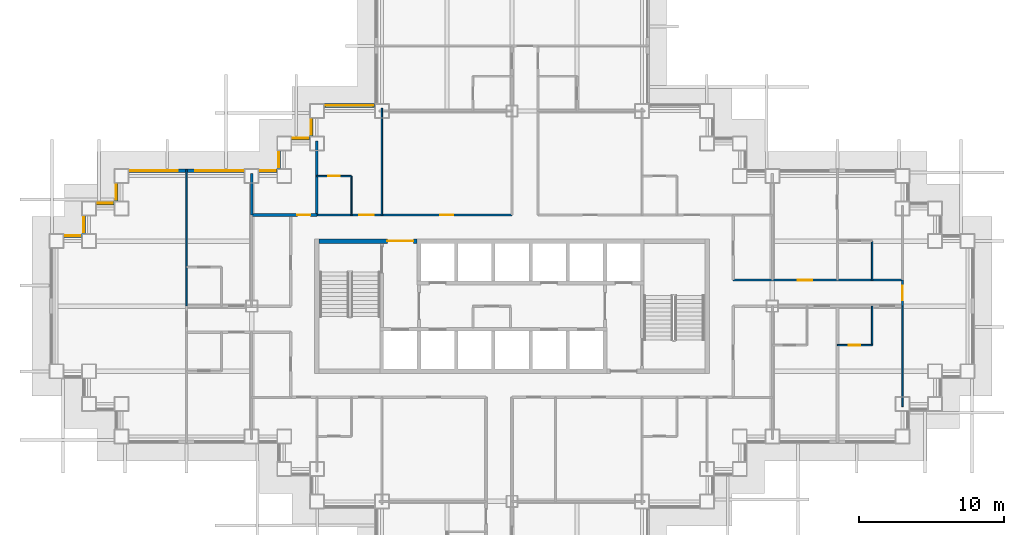
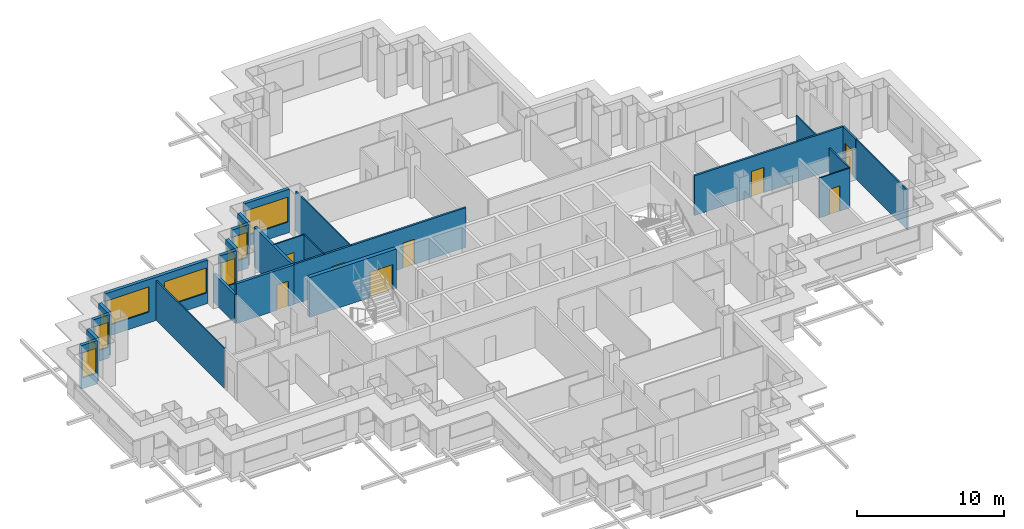
# One storey, part 7 of 15: 25 walls, 11 windows, 8 doors, 19 openings.
"""IFC4 building model written with IfcOpenShell, lengths in metres."""

import ifcopenshell
import ifcopenshell.guid

model = None  # the IFC model being written
_history = None  # IfcOwnerHistory: only IFC2X3 demands one
_inside = {}  # id of a spatial element -> (the spatial element, [elements in it])
_under = {}  # id of a project, library or spatial element -> (it, [spatial elements below it])
_declared = {}  # id of a project -> (the project, [libraries it declares])
_typed = {}  # id of a type object -> (the type object, [elements of that type])
_made_of = {}  # id of a material, layer set ... -> (it, [elements and type objects made of it])


def new_model(schema):
    """Start an empty IFC model of exactly this schema.

    Asked for "IFC4X3", IfcOpenShell would pick the latest addendum, in which some entities
    have other attributes; the version numbers below select the first issue.
    IFC2X3 requires an IfcOwnerHistory on every rooted entity: one is made here for all.
    """
    global model, _history
    if schema == "IFC4X3":
        model = ifcopenshell.file(schema_version=(4, 3, 0, 0))
    else:
        model = ifcopenshell.file(schema=schema)
    _inside.clear()
    _under.clear()
    _declared.clear()
    _typed.clear()
    _made_of.clear()
    _history = None
    if model.schema == "IFC2X3":
        org = make("IfcOrganization", Name="unknown")
        user = make(
            "IfcPersonAndOrganization",
            ThePerson=make("IfcPerson", FamilyName="unknown"),
            TheOrganization=org,
        )
        app = make(
            "IfcApplication",
            ApplicationDeveloper=org,
            Version="unknown",
            ApplicationFullName="unknown",
            ApplicationIdentifier="unknown",
        )
        _history = make(
            "IfcOwnerHistory",
            OwningUser=user,
            OwningApplication=app,
            ChangeAction="ADDED",
            CreationDate=0,
        )
    return model


def make(cls, **values):
    """One entity of the class cls with the attributes given. An attribute that is None is left unset."""
    return model.create_entity(
        cls, **{name: value for name, value in values.items() if value is not None}
    )


def rooted(cls, **values):
    """An entity with a GlobalId (a new one), such as an element, a storey or a relation."""
    return make(cls, GlobalId=ifcopenshell.guid.new(), OwnerHistory=_history, **values)


def si_unit(unit_type, name, prefix=None):
    """IfcSIUnit, for example si_unit("LENGTHUNIT", "METRE", prefix="MILLI")."""
    return make("IfcSIUnit", UnitType=unit_type, Prefix=prefix, Name=name)


def assignment(units):
    """IfcUnitAssignment: the units of a project."""
    return None if units is None else make("IfcUnitAssignment", Units=units)


def point(xyz):
    """IfcCartesianPoint."""
    return None if xyz is None else make("IfcCartesianPoint", Coordinates=xyz)


def direction(xyz):
    """IfcDirection."""
    return None if xyz is None else make("IfcDirection", DirectionRatios=xyz)


def frame(location, z_axis=None, x_axis=None):
    """IfcAxis2Placement3D, a coordinate frame: its origin and axes. An axis left out is left unset."""
    return make(
        "IfcAxis2Placement3D",
        Location=point(location),
        Axis=direction(z_axis),
        RefDirection=direction(x_axis),
    )


def frame_2d(location, x_axis=None):
    """IfcAxis2Placement2D, a coordinate frame in the plane: its origin and x axis."""
    return make(
        "IfcAxis2Placement2D", Location=point(location), RefDirection=direction(x_axis)
    )


def origin():
    """The frame at (0, 0, 0) with its axes left unset."""
    return frame((0.0, 0.0, 0.0))


def place(relative_to, where):
    """IfcLocalPlacement: puts the frame where relative to a parent placement (None: the world)."""
    return make(
        "IfcLocalPlacement", PlacementRelTo=relative_to, RelativePlacement=where
    )


def context(
    kind, dimensions, precision=None, world=None, true_north=None, identifier=None
):
    """IfcGeometricRepresentationContext, for example the 3D "Model" context."""
    return make(
        "IfcGeometricRepresentationContext",
        ContextIdentifier=identifier,
        ContextType=kind,
        CoordinateSpaceDimension=dimensions,
        Precision=precision,
        WorldCoordinateSystem=world,
        TrueNorth=true_north,
    )


def subcontext(parent, identifier, kind, view, scale=None):
    """IfcGeometricRepresentationSubContext, for example "Body" below "Model"."""
    return make(
        "IfcGeometricRepresentationSubContext",
        ContextIdentifier=identifier,
        ContextType=kind,
        ParentContext=parent,
        TargetScale=scale,
        TargetView=view,
    )


def project(units=None, contexts=None):
    """IfcProject with its units and contexts."""
    return rooted(
        "IfcProject",
        Name="project",
        RepresentationContexts=contexts,
        UnitsInContext=assignment(units),
    )


def spatial(cls, under=None, at=None, **own):
    """A site, building, storey or space (cls), placed at a placement, below another one or the project."""
    s = rooted(cls, ObjectPlacement=at, **own)
    if under is not None:
        _under.setdefault(under.id(), (under, []))[1].append(s)
    return s


def profile(cls, at=None, kind="AREA", **sizes):
    """A parametric profile (cls). Its sizes go by their IFC names, for example OverallWidth=200.0."""
    return make(cls, ProfileType=kind, Position=at, **sizes)


def rectangle(**sizes):
    """IfcRectangleProfileDef."""
    return profile("IfcRectangleProfileDef", **sizes)


def extrude(swept, where, along, depth):
    """IfcExtrudedAreaSolid: the profile swept, set in the frame where, extruded along a direction by depth."""
    return make(
        "IfcExtrudedAreaSolid",
        SweptArea=swept,
        Position=where,
        ExtrudedDirection=direction(along),
        Depth=depth,
    )


def shape(context_of_items, identifier, shape_type, items):
    """IfcShapeRepresentation: the items that make up one representation, for example the "Body"."""
    return make(
        "IfcShapeRepresentation",
        ContextOfItems=context_of_items,
        RepresentationIdentifier=identifier,
        RepresentationType=shape_type,
        Items=items,
    )


def material(Name=None, Category=None):
    """IfcMaterial."""
    return make("IfcMaterial", Name=Name, Category=Category)


def layer(
    of_material, thickness, ventilated=None, Name=None, Category=None, Priority=None
):
    """IfcMaterialLayer: one layer of a wall or slab, of a material (None: an air gap)."""
    return make(
        "IfcMaterialLayer",
        Material=of_material,
        LayerThickness=thickness,
        IsVentilated=ventilated,
        Name=Name,
        Category=Category,
        Priority=Priority,
    )


def layer_set(layers, Name=None):
    """IfcMaterialLayerSet."""
    return make("IfcMaterialLayerSet", MaterialLayers=layers, LayerSetName=Name)


def made_of(thing, what):
    """Note that an element or type object is made of a material, layer set ...; save() writes the relation."""
    if what is not None:
        _made_of.setdefault(what.id(), (what, []))[1].append(thing)
    return thing


def type_object(cls, material=None, **own):
    """A type object (cls), such as IfcWallType, which elements share."""
    return made_of(rooted(cls, **own), material)


def element(
    cls,
    number,
    at=None,
    inside=None,
    cuts=None,
    type_object=None,
    material=None,
    context=None,
    identifier="Body",
    shape_type=None,
    held_by="IfcProductDefinitionShape",
    body=None,
    shapes=None,
    **own,
):
    """One element of the class cls, such as IfcWall. Its Tag is "e" and its number.

    at: its placement. inside: the storey or other place that contains it. cuts: it is an
    opening in that element (IfcRelVoidsElement). A single representation is given by context,
    identifier, shape_type and body (its items); several are given by shapes. held_by: the class
    of the entity that holds the representations. save() writes the other relations.
    """
    e = rooted(cls, Tag="e%d" % number, ObjectPlacement=at, **own)
    if body is not None:
        shapes = [shape(context, identifier, shape_type, body)]
    if shapes is not None:
        e.Representation = make(held_by, Representations=shapes)
    if inside is not None:
        _inside.setdefault(inside.id(), (inside, []))[1].append(e)
    if cuts is not None:
        rooted(
            "IfcRelVoidsElement", RelatingBuildingElement=cuts, RelatedOpeningElement=e
        )
    if type_object is not None:
        _typed.setdefault(type_object.id(), (type_object, []))[1].append(e)
    return made_of(e, material)


def fill(opening, filler):
    """IfcRelFillsElement: the door or window that sits in an opening."""
    return rooted(
        "IfcRelFillsElement",
        RelatingOpeningElement=opening,
        RelatedBuildingElement=filler,
    )


def aggregate(whole, parts):
    """IfcRelAggregates: a whole, such as a stair, and the parts it consists of."""
    return rooted("IfcRelAggregates", RelatingObject=whole, RelatedObjects=parts)


def save(model, path):
    """Write the relations noted so far, then the file.

    IfcRelAggregates (storeys below a building ...), IfcRelContainedInSpatialStructure (elements
    in a storey), IfcRelDefinesByType, IfcRelAssociatesMaterial and IfcRelDeclares: one each for
    every whole, place, type object, material and project.
    """
    for whole, parts in _under.values():
        aggregate(whole, parts)
    for where, things in _inside.values():
        rooted(
            "IfcRelContainedInSpatialStructure",
            RelatedElements=things,
            RelatingStructure=where,
        )
    for kind, things in _typed.values():
        rooted("IfcRelDefinesByType", RelatedObjects=things, RelatingType=kind)
    for what, things in _made_of.values():
        rooted("IfcRelAssociatesMaterial", RelatedObjects=things, RelatingMaterial=what)
    for by, libraries in _declared.values():
        rooted("IfcRelDeclares", RelatingContext=by, RelatedDefinitions=libraries)
    model.write(path)


model = new_model("IFC4")

# Units and contexts
model_context = context("Model", 3, precision=1e-05, world=origin(), true_north=direction((0.0, 1.0)))
body_context = subcontext(model_context, "Body", "Model", "MODEL_VIEW")
ifc_project = project(units=[si_unit("LENGTHUNIT", "METRE"), si_unit("AREAUNIT", "SQUARE_METRE"), si_unit("VOLUMEUNIT", "CUBIC_METRE"), si_unit("PLANEANGLEUNIT", "RADIAN"), si_unit("MASSUNIT", "GRAM", prefix="KILO")], contexts=[model_context])

# Site, building, storey
site_placement = place(None, origin())
site = spatial("IfcSite", under=ifc_project, at=site_placement, CompositionType="ELEMENT")
building_placement = place(site_placement, origin())
building = spatial("IfcBuilding", under=site, at=building_placement, Name="Caravel Reach Hotel and Residences", CompositionType="ELEMENT")
storey_placement = place(building_placement, frame((0.0, 0.0, 60.0)))
storey = spatial("IfcBuildingStorey", under=building, at=storey_placement, Name="L13", CompositionType="ELEMENT", Elevation=60.0)

# Wall, opening, door
ifc_material_1 = material(Name="Gypsum board on steel stud", Category="steel")
ifc_layer_1 = layer(ifc_material_1, 0.10009765625)
ifc_layer_set_1 = layer_set([ifc_layer_1], Name="Bathroom pod wall 100 mm")
wall_type_1 = type_object("IfcWallType", Name="Bathroom pod wall 100 mm", PredefinedType="PARTITIONING", material=ifc_layer_set_1)
wall_1_placement = place(storey_placement, frame((54.0, 24.300048828125, 0.0), z_axis=(0.0, 0.0, 1.0), x_axis=(1.0, 0.0, 0.0)))
wall_1 = element("IfcWall", 1, at=wall_1_placement, inside=storey, type_object=wall_type_1, Name="L13 wall w079", PredefinedType="PARTITIONING", context=body_context, shape_type="SweptSolid", body=[
    extrude(rectangle(XDim=2.39990234375, YDim=0.10009765625, at=frame_2d((1.199951171875, 0.0))), origin(), (0.0, 0.0, 1.0), 3.300048828125),
])
opening_1_placement = place(wall_1_placement, frame((0.800048828125, 0.0, 0.0)))
opening_1 = element("IfcOpeningElement", 2, at=opening_1_placement, cuts=wall_1, Name="Opening D13-022", PredefinedType="OPENING", context=body_context, shape_type="SweptSolid", body=[
    extrude(rectangle(XDim=0.800048828125, YDim=2.10009765625, at=frame_2d((0.39990234375, 1.050048828125))), frame((0.0, 0.06005859375, 0.0), z_axis=(0.0, -1.0, 0.0), x_axis=(1.0, 0.0, 0.0)), (0.0, 0.0, 1.0), 0.1201171875),
])
ifc_material_2 = material(Name="Timber and steel door leaf", Category="steel")
door_type_1 = type_object("IfcDoorType", Name="Bathroom door 800 x 2100", OperationType="SINGLE_SWING_LEFT", PredefinedType="DOOR", material=ifc_material_2)
door_1_placement = place(opening_1_placement, origin())
door_1 = element("IfcDoor", 3, at=door_1_placement, inside=storey, type_object=door_type_1, Name="door D13-022", OperationType="SINGLE_SWING_RIGHT", OverallHeight=2.10009765625, OverallWidth=0.800048828125, PredefinedType="DOOR", context=body_context, shape_type="SweptSolid", body=[
    extrude(rectangle(XDim=0.800048828125, YDim=2.10009765625, at=frame_2d((0.39990234375, 1.050048828125))), frame((0.0, 0.02490234375, 0.0), z_axis=(0.0, -1.0, 0.0), x_axis=(1.0, 0.0, 0.0)), (0.0, 0.0, 1.0), 0.050048828125),
])
fill(opening_1, door_1)

wall_2_placement = place(storey_placement, frame((18.0, 36.0, 0.0), z_axis=(0.0, 0.0, 1.0), x_axis=(1.0, 0.0, 0.0)))
wall_2 = element("IfcWall", 4, at=wall_2_placement, inside=storey, type_object=wall_type_1, Name="L13 wall w082", PredefinedType="PARTITIONING", context=body_context, shape_type="SweptSolid", body=[
    extrude(rectangle(XDim=2.39990234375, YDim=0.10009765625, at=frame_2d((1.199951171875, 0.0))), origin(), (0.0, 0.0, 1.0), 3.300048828125),
])
opening_2_placement = place(wall_2_placement, frame((0.800048828125, 0.0, 0.0)))
opening_2 = element("IfcOpeningElement", 5, at=opening_2_placement, cuts=wall_2, Name="Opening D13-042", PredefinedType="OPENING", context=body_context, shape_type="SweptSolid", body=[
    extrude(rectangle(XDim=0.800048828125, YDim=2.10009765625, at=frame_2d((0.39990234375, 1.050048828125))), frame((0.0, 0.06005859375, 0.0), z_axis=(0.0, -1.0, 0.0), x_axis=(1.0, 0.0, 0.0)), (0.0, 0.0, 1.0), 0.1201171875),
])
door_2_placement = place(opening_2_placement, origin())
door_2 = element("IfcDoor", 6, at=door_2_placement, inside=storey, type_object=door_type_1, Name="door D13-042", OperationType="SINGLE_SWING_RIGHT", OverallHeight=2.10009765625, OverallWidth=0.800048828125, PredefinedType="DOOR", context=body_context, shape_type="SweptSolid", body=[
    extrude(rectangle(XDim=0.800048828125, YDim=2.10009765625, at=frame_2d((0.39990234375, 1.050048828125))), frame((0.0, 0.02490234375, 0.0), z_axis=(0.0, -1.0, 0.0), x_axis=(1.0, 0.0, 0.0)), (0.0, 0.0, 1.0), 0.050048828125),
])
fill(opening_2, door_2)

# Walls
for number, where, z_axis, x_axis, name in (
    (7, (20.39990234375, 33.300048828125, 0.0), (0.0, 0.0, 1.0), (0.0, 1.0, 0.0), "L13 wall w090"),
    (8, (56.39990234375, 24.300048828125, 0.0), (0.0, 0.0, 1.0), (0.0, 1.0, 0.0), "L13 wall w100"),
    (9, (56.39990234375, 28.800048828125, 0.0), (0.0, 0.0, 1.0), (0.0, 1.0, 0.0), "L13 wall w101"),
):
    element("IfcWall", number, at=place(storey_placement, frame(where, z_axis=z_axis, x_axis=x_axis)), inside=storey, type_object=wall_type_1, Name=name, PredefinedType="PARTITIONING", context=body_context, shape_type="SweptSolid", body=[
        extrude(rectangle(XDim=2.699951171875, YDim=0.10009765625, at=frame_2d((1.35009765625, 0.0))), origin(), (0.0, 0.0, 1.0), 3.300048828125),
    ])

# Wall, opening, door
ifc_material_3 = material(Name="Autoclaved aerated block wall")
ifc_layer_2 = layer(ifc_material_3, 0.199951171875)
ifc_layer_set_2 = layer_set([ifc_layer_2], Name="Compartment wall 200 mm EI 120")
wall_type_2 = type_object("IfcWallType", Name="Compartment wall 200 mm EI 120", PredefinedType="PARTITIONING", material=ifc_layer_set_2)
wall_3_placement = place(storey_placement, frame((13.5, 33.300048828125, 0.0), z_axis=(0.0, 0.0, 1.0), x_axis=(1.0, 0.0, 0.0)))
wall_3 = element("IfcWall", 10, at=wall_3_placement, inside=storey, type_object=wall_type_2, Name="L13 wall w103", PredefinedType="PARTITIONING", context=body_context, shape_type="SweptSolid", body=[
    extrude(rectangle(XDim=4.5, YDim=0.199951171875, at=frame_2d((2.25, 0.0))), origin(), (0.0, 0.0, 1.0), 3.300048828125),
])
opening_3_placement = place(wall_3_placement, frame((3.14990234375, 0.0, 0.0)))
opening_3 = element("IfcOpeningElement", 11, at=opening_3_placement, cuts=wall_3, Name="Opening D13-043", PredefinedType="OPENING", context=body_context, shape_type="SweptSolid", body=[
    extrude(rectangle(XDim=0.89990234375, YDim=2.10009765625, at=frame_2d((0.449951171875, 1.050048828125))), frame((0.0, 0.10986328125, 0.0), z_axis=(0.0, -1.0, 0.0), x_axis=(1.0, 0.0, 0.0)), (0.0, 0.0, 1.0), 0.219970703125),
])
ifc_material_4 = material(Name="Steel fire door leaf", Category="steel")
door_type_2 = type_object("IfcDoorType", Name="Riser door 900 x 2100 EI 60", OperationType="SINGLE_SWING_LEFT", PredefinedType="DOOR", material=ifc_material_4)
door_3_placement = place(opening_3_placement, origin())
door_3 = element("IfcDoor", 12, at=door_3_placement, inside=storey, type_object=door_type_2, Name="door D13-043", OperationType="SINGLE_SWING_RIGHT", OverallHeight=2.10009765625, OverallWidth=0.89990234375, PredefinedType="DOOR", context=body_context, shape_type="SweptSolid", body=[
    extrude(rectangle(XDim=0.89990234375, YDim=2.10009765625, at=frame_2d((0.449951171875, 1.050048828125))), frame((0.0, 0.02490234375, 0.0), z_axis=(0.0, -1.0, 0.0), x_axis=(1.0, 0.0, 0.0)), (0.0, 0.0, 1.0), 0.050048828125),
])
fill(opening_3, door_3)

# Walls
wall_4_placement = place(storey_placement, frame((13.5, 33.300048828125, 0.0), z_axis=(0.0, 0.0, 1.0), x_axis=(0.0, 1.0, 0.0)))
element("IfcWall", 13, at=wall_4_placement, inside=storey, type_object=wall_type_2, Name="L13 wall w104", PredefinedType="PARTITIONING", context=body_context, shape_type="SweptSolid", body=[
    extrude(rectangle(XDim=2.889892578125, YDim=0.199951171875, at=frame_2d((1.44482421875, 0.0))), origin(), (0.0, 0.0, 1.0), 2.3798828125),
])
wall_5_placement = place(storey_placement, frame((18.0, 33.300048828125, 0.0), z_axis=(0.0, 0.0, 1.0), x_axis=(0.0, 1.0, 0.0)))
element("IfcWall", 14, at=wall_5_placement, inside=storey, type_object=wall_type_2, Name="L13 wall w105", PredefinedType="PARTITIONING", context=body_context, shape_type="SweptSolid", body=[
    extrude(rectangle(XDim=5.139892578125, YDim=0.199951171875, at=frame_2d((2.56982421875, 0.0))), origin(), (0.0, 0.0, 1.0), 3.300048828125),
])

# Wall, opening, door
ifc_material_5 = material(Name="Concrete C60", Category="concrete")
ifc_layer_3 = layer(ifc_material_5, 0.300048828125)
ifc_layer_set_3 = layer_set([ifc_layer_3], Name="Core wall 300 mm EI 120")
wall_type_3 = type_object("IfcWallType", Name="Core wall 300 mm EI 120", PredefinedType="SHEAR", material=ifc_layer_set_3)
wall_6_placement = place(storey_placement, frame((18.14990234375, 31.5, 0.0), z_axis=(0.0, 0.0, 1.0), x_axis=(1.0, 0.0, 0.0)))
wall_6 = element("IfcWall", 15, at=wall_6_placement, inside=storey, type_object=wall_type_3, Name="L13 core wall N1", PredefinedType="SHEAR", context=body_context, shape_type="SweptSolid", body=[
    extrude(rectangle(XDim=6.796630859375, YDim=0.300048828125, at=frame_2d((3.3984375, 0.0))), origin(), (0.0, 0.0, 1.0), 3.300048828125),
])
opening_4_placement = place(wall_6_placement, frame((4.735595703125, 0.0, 0.0)))
opening_4 = element("IfcOpeningElement", 16, at=opening_4_placement, cuts=wall_6, Name="Opening D13-013", PredefinedType="OPENING", context=body_context, shape_type="SweptSolid", body=[
    extrude(rectangle(XDim=1.800048828125, YDim=2.10009765625, at=frame_2d((0.89990234375, 1.050048828125))), frame((0.0, 0.159912109375, 0.0), z_axis=(0.0, -1.0, 0.0), x_axis=(1.0, 0.0, 0.0)), (0.0, 0.0, 1.0), 0.320068359375),
])
ifc_material_6 = material(Name="Steel fire door leaf", Category="steel")
door_type_3 = type_object("IfcDoorType", Name="Fire lobby door pair 1800 x 2100 EI 90", OperationType="DOUBLE_DOOR_SINGLE_SWING", PredefinedType="DOOR", material=ifc_material_6)
door_4_placement = place(opening_4_placement, origin())
door_4 = element("IfcDoor", 17, at=door_4_placement, inside=storey, type_object=door_type_3, Name="lobby N door pair to corridor", OperationType="DOUBLE_DOOR_SINGLE_SWING", OverallHeight=2.10009765625, OverallWidth=1.800048828125, PredefinedType="DOOR", context=body_context, shape_type="SweptSolid", body=[
    extrude(rectangle(XDim=1.800048828125, YDim=2.10009765625, at=frame_2d((0.89990234375, 1.050048828125))), frame((0.0, 0.02490234375, 0.0), z_axis=(0.0, -1.0, 0.0), x_axis=(1.0, 0.0, 0.0)), (0.0, 0.0, 1.0), 0.050048828125),
])
fill(opening_4, door_4)

ifc_material_7 = material(Name="Gypsum board on steel stud, fire-rated", Category="steel")
ifc_layer_4 = layer(ifc_material_7, 0.14990234375)
ifc_layer_set_4 = layer_set([ifc_layer_4], Name="Corridor wall 150 mm EI 60")
wall_type_4 = type_object("IfcWallType", Name="Corridor wall 150 mm EI 60", PredefinedType="PARTITIONING", material=ifc_layer_set_4)
wall_7_placement = place(storey_placement, frame((46.800048828125, 28.800048828125, 0.0), z_axis=(0.0, 0.0, 1.0), x_axis=(1.0, 0.0, 0.0)))
wall_7 = element("IfcWall", 18, at=wall_7_placement, inside=storey, type_object=wall_type_4, Name="L13 wall w015", PredefinedType="PARTITIONING", context=body_context, shape_type="SweptSolid", body=[
    extrude(rectangle(XDim=11.699951171875, YDim=0.14990234375, at=frame_2d((5.85009765625, 0.0))), origin(), (0.0, 0.0, 1.0), 3.300048828125),
])
opening_5_placement = place(wall_7_placement, frame((4.449951171875, 0.0, 0.0)))
opening_5 = element("IfcOpeningElement", 19, at=opening_5_placement, cuts=wall_7, Name="Opening D13-023", PredefinedType="OPENING", context=body_context, shape_type="SweptSolid", body=[
    extrude(rectangle(XDim=1.0, YDim=2.10009765625, at=frame_2d((0.5, 1.050048828125))), frame((0.0, 0.0849609375, 0.0), z_axis=(0.0, -1.0, 0.0), x_axis=(1.0, 0.0, 0.0)), (0.0, 0.0, 1.0), 0.169921875),
])
ifc_material_8 = material(Name="Steel fire door leaf", Category="steel")
door_type_4 = type_object("IfcDoorType", Name="Guest room door 1000 x 2100 EI 30", OperationType="SINGLE_SWING_LEFT", PredefinedType="DOOR", material=ifc_material_8)
door_5_placement = place(opening_5_placement, origin())
door_5 = element("IfcDoor", 20, at=door_5_placement, inside=storey, type_object=door_type_4, Name="door D13-023", OperationType="SINGLE_SWING_RIGHT", OverallHeight=2.10009765625, OverallWidth=1.0, PredefinedType="DOOR", context=body_context, shape_type="SweptSolid", body=[
    extrude(rectangle(XDim=1.0, YDim=2.10009765625, at=frame_2d((0.5, 1.050048828125))), frame((0.0, 0.02490234375, 0.0), z_axis=(0.0, -1.0, 0.0), x_axis=(1.0, 0.0, 0.0)), (0.0, 0.0, 1.0), 0.050048828125),
])
fill(opening_5, door_5)

# Wall, openings, doors
wall_8_placement = place(storey_placement, frame((18.0, 33.300048828125, 0.0), z_axis=(0.0, 0.0, 1.0), x_axis=(1.0, 0.0, 0.0)))
wall_8 = element("IfcWall", 21, at=wall_8_placement, inside=storey, type_object=wall_type_4, Name="L13 wall w018", PredefinedType="PARTITIONING", context=body_context, shape_type="SweptSolid", body=[
    extrude(rectangle(XDim=13.5, YDim=0.14990234375, at=frame_2d((6.75, 0.0))), origin(), (0.0, 0.0, 1.0), 3.300048828125),
])
opening_6_placement = place(wall_8_placement, frame((2.949951171875, 0.0, 0.0)))
opening_6 = element("IfcOpeningElement", 22, at=opening_6_placement, cuts=wall_8, Name="Opening D13-041", PredefinedType="OPENING", context=body_context, shape_type="SweptSolid", body=[
    extrude(rectangle(XDim=1.0, YDim=2.10009765625, at=frame_2d((0.5, 1.050048828125))), frame((0.0, 0.0849609375, 0.0), z_axis=(0.0, -1.0, 0.0), x_axis=(1.0, 0.0, 0.0)), (0.0, 0.0, 1.0), 0.169921875),
])
opening_7_placement = place(wall_8_placement, frame((8.550048828125, 0.0, 0.0)))
opening_7 = element("IfcOpeningElement", 23, at=opening_7_placement, cuts=wall_8, Name="Opening D13-052", PredefinedType="OPENING", context=body_context, shape_type="SweptSolid", body=[
    extrude(rectangle(XDim=0.89990234375, YDim=2.10009765625, at=frame_2d((0.449951171875, 1.050048828125))), frame((0.0, 0.0849609375, 0.0), z_axis=(0.0, -1.0, 0.0), x_axis=(1.0, 0.0, 0.0)), (0.0, 0.0, 1.0), 0.169921875),
])
ifc_material_9 = material(Name="Timber and steel door leaf", Category="steel")
door_type_5 = type_object("IfcDoorType", Name="Door 900 x 2100 timber", OperationType="SINGLE_SWING_LEFT", PredefinedType="DOOR", material=ifc_material_9)
door_6_placement = place(opening_7_placement, origin())
door_6 = element("IfcDoor", 24, at=door_6_placement, inside=storey, type_object=door_type_5, Name="door D13-052", OperationType="SINGLE_SWING_RIGHT", OverallHeight=2.10009765625, OverallWidth=0.89990234375, PredefinedType="DOOR", context=body_context, shape_type="SweptSolid", body=[
    extrude(rectangle(XDim=0.89990234375, YDim=2.10009765625, at=frame_2d((0.449951171875, 1.050048828125))), frame((0.0, 0.02490234375, 0.0), z_axis=(0.0, -1.0, 0.0), x_axis=(1.0, 0.0, 0.0)), (0.0, 0.0, 1.0), 0.050048828125),
])
fill(opening_7, door_6)
door_7_placement = place(opening_6_placement, origin())
door_7 = element("IfcDoor", 25, at=door_7_placement, inside=storey, type_object=door_type_4, Name="door D13-041", OperationType="SINGLE_SWING_RIGHT", OverallHeight=2.10009765625, OverallWidth=1.0, PredefinedType="DOOR", context=body_context, shape_type="SweptSolid", body=[
    extrude(rectangle(XDim=1.0, YDim=2.10009765625, at=frame_2d((0.5, 1.050048828125))), frame((0.0, 0.02490234375, 0.0), z_axis=(0.0, -1.0, 0.0), x_axis=(1.0, 0.0, 0.0)), (0.0, 0.0, 1.0), 0.050048828125),
])
fill(opening_6, door_7)

# Wall, opening, door
wall_9_placement = place(storey_placement, frame((58.5, 27.0, 0.0), z_axis=(0.0, 0.0, 1.0), x_axis=(0.0, 1.0, 0.0)))
wall_9 = element("IfcWall", 26, at=wall_9_placement, inside=storey, type_object=wall_type_4, Name="L13 wall w038", PredefinedType="PARTITIONING", context=body_context, shape_type="SweptSolid", body=[
    extrude(rectangle(XDim=1.800048828125, YDim=0.14990234375, at=frame_2d((0.89990234375, 0.0))), origin(), (0.0, 0.0, 1.0), 3.300048828125),
])
opening_8_placement = place(wall_9_placement, frame((0.39990234375, 0.0, 0.0)))
opening_8 = element("IfcOpeningElement", 27, at=opening_8_placement, cuts=wall_9, Name="Opening D13-038", PredefinedType="OPENING", context=body_context, shape_type="SweptSolid", body=[
    extrude(rectangle(XDim=1.0, YDim=2.10009765625, at=frame_2d((0.5, 1.050048828125))), frame((0.0, 0.0849609375, 0.0), z_axis=(0.0, -1.0, 0.0), x_axis=(1.0, 0.0, 0.0)), (0.0, 0.0, 1.0), 0.169921875),
])
door_8_placement = place(opening_8_placement, origin())
door_8 = element("IfcDoor", 28, at=door_8_placement, inside=storey, type_object=door_type_4, Name="door D13-038", OperationType="SINGLE_SWING_LEFT", OverallHeight=2.10009765625, OverallWidth=1.0, PredefinedType="DOOR", context=body_context, shape_type="SweptSolid", body=[
    extrude(rectangle(XDim=1.0, YDim=2.10009765625, at=frame_2d((0.5, 1.050048828125))), frame((0.0, 0.02490234375, 0.0), z_axis=(0.0, -1.0, 0.0), x_axis=(1.0, 0.0, 0.0)), (0.0, 0.0, 1.0), 0.050048828125),
])
fill(opening_8, door_8)

# Wall, opening, window
ifc_material_10 = material(Name="Insulated rainscreen wall, aluminium cladding", Category="aluminium")
ifc_layer_5 = layer(ifc_material_10, 0.25)
ifc_layer_set_5 = layer_set([ifc_layer_5], Name="EW1 Tower rainscreen wall")
wall_type_5 = type_object("IfcWallType", Name="EW1 Tower rainscreen wall", PredefinedType="SOLIDWALL", material=ifc_layer_set_5)
wall_10_placement = place(storey_placement, frame((22.0, 40.875, 0.0), z_axis=(0.0, 0.0, 1.0), x_axis=(-1.0, 0.0, 0.0)))
wall_10 = element("IfcWall", 29, at=wall_10_placement, inside=storey, type_object=wall_type_5, Name="External wall L13 N41.1", PredefinedType="SOLIDWALL", context=body_context, shape_type="SweptSolid", body=[
    extrude(rectangle(XDim=3.5, YDim=0.25, at=frame_2d((1.75, 0.0))), origin(), (0.0, 0.0, 1.0), 3.60009765625),
])
opening_9_placement = place(wall_10_placement, frame((0.10009765625, 0.0, 0.89990234375)))
opening_9 = element("IfcOpeningElement", 30, at=opening_9_placement, cuts=wall_10, Name="Opening WN4", PredefinedType="OPENING", context=body_context, shape_type="SweptSolid", body=[
    extrude(rectangle(XDim=3.300048828125, YDim=2.080078125, at=frame_2d((1.64990234375, 1.0400390625))), frame((0.0, 0.135009765625, 0.0), z_axis=(0.0, -1.0, 0.0), x_axis=(1.0, 0.0, 0.0)), (0.0, 0.0, 1.0), 0.27001953125),
])
ifc_material_11 = material(Name="Dark low-e glazing in black aluminium frame", Category="aluminium")
window_type_1 = type_object("IfcWindowType", Name="Hotel guest room window 3300 x 2080", PartitioningType="SINGLE_PANEL", PredefinedType="WINDOW", material=ifc_material_11)
window_1_placement = place(opening_9_placement, origin())
window_1 = element("IfcWindow", 31, at=window_1_placement, inside=storey, type_object=window_type_1, Name="Window L13 N41.1.1", OverallHeight=2.080078125, OverallWidth=3.300048828125, PartitioningType="SINGLE_PANEL", PredefinedType="WINDOW", context=body_context, shape_type="SweptSolid", body=[
    extrude(rectangle(XDim=3.300048828125, YDim=2.080078125, at=frame_2d((1.64990234375, 1.0400390625))), frame((0.0, 0.030029296875, 0.0), z_axis=(0.0, -1.0, 0.0), x_axis=(1.0, 0.0, 0.0)), (0.0, 0.0, 1.0), 0.06005859375),
])
fill(opening_9, window_1)

wall_11_placement = place(storey_placement, frame((17.625, 40.0, 0.0), z_axis=(0.0, 0.0, 1.0), x_axis=(0.0, -1.0, 0.0)))
wall_11 = element("IfcWall", 32, at=wall_11_placement, inside=storey, type_object=wall_type_5, Name="External wall L13 W42.1", PredefinedType="SOLIDWALL", context=body_context, shape_type="SweptSolid", body=[
    extrude(rectangle(XDim=1.25, YDim=0.25, at=frame_2d((0.625, 0.0))), origin(), (0.0, 0.0, 1.0), 3.60009765625),
])
opening_10_placement = place(wall_11_placement, frame((0.10009765625, 0.0, 0.89990234375)))
opening_10 = element("IfcOpeningElement", 33, at=opening_10_placement, cuts=wall_11, Name="Opening WN3", PredefinedType="OPENING", context=body_context, shape_type="SweptSolid", body=[
    extrude(rectangle(XDim=1.050048828125, YDim=2.080078125, at=frame_2d((0.52490234375, 1.0400390625))), frame((0.0, 0.135009765625, 0.0), z_axis=(0.0, -1.0, 0.0), x_axis=(1.0, 0.0, 0.0)), (0.0, 0.0, 1.0), 0.27001953125),
])
ifc_material_12 = material(Name="Dark low-e glazing in black aluminium frame", Category="aluminium")
window_type_2 = type_object("IfcWindowType", Name="Hotel suite corner window 1050 x 2080", PartitioningType="SINGLE_PANEL", PredefinedType="WINDOW", material=ifc_material_12)
window_2_placement = place(opening_10_placement, origin())
window_2 = element("IfcWindow", 34, at=window_2_placement, inside=storey, type_object=window_type_2, Name="Window L13 W42.1.1", OverallHeight=2.080078125, OverallWidth=1.050048828125, PartitioningType="SINGLE_PANEL", PredefinedType="WINDOW", context=body_context, shape_type="SweptSolid", body=[
    extrude(rectangle(XDim=1.050048828125, YDim=2.080078125, at=frame_2d((0.52490234375, 1.0400390625))), frame((0.0, 0.030029296875, 0.0), z_axis=(0.0, -1.0, 0.0), x_axis=(1.0, 0.0, 0.0)), (0.0, 0.0, 1.0), 0.06005859375),
])
fill(opening_10, window_2)

wall_12_placement = place(storey_placement, frame((17.5, 38.625, 0.0), z_axis=(0.0, 0.0, 1.0), x_axis=(-1.0, 0.0, 0.0)))
wall_12 = element("IfcWall", 35, at=wall_12_placement, inside=storey, type_object=wall_type_5, Name="External wall L13 N43.1", PredefinedType="SOLIDWALL", context=body_context, shape_type="SweptSolid", body=[
    extrude(rectangle(XDim=1.25, YDim=0.25, at=frame_2d((0.625, 0.0))), origin(), (0.0, 0.0, 1.0), 3.60009765625),
])
opening_11_placement = place(wall_12_placement, frame((0.10009765625, 0.0, 0.89990234375)))
opening_11 = element("IfcOpeningElement", 36, at=opening_11_placement, cuts=wall_12, Name="Opening WN3", PredefinedType="OPENING", context=body_context, shape_type="SweptSolid", body=[
    extrude(rectangle(XDim=1.050048828125, YDim=2.080078125, at=frame_2d((0.52490234375, 1.0400390625))), frame((0.0, 0.135009765625, 0.0), z_axis=(0.0, -1.0, 0.0), x_axis=(1.0, 0.0, 0.0)), (0.0, 0.0, 1.0), 0.27001953125),
])
window_3_placement = place(opening_11_placement, origin())
window_3 = element("IfcWindow", 37, at=window_3_placement, inside=storey, type_object=window_type_2, Name="Window L13 N43.1.1", OverallHeight=2.080078125, OverallWidth=1.050048828125, PartitioningType="SINGLE_PANEL", PredefinedType="WINDOW", context=body_context, shape_type="SweptSolid", body=[
    extrude(rectangle(XDim=1.050048828125, YDim=2.080078125, at=frame_2d((0.52490234375, 1.0400390625))), frame((0.0, 0.030029296875, 0.0), z_axis=(0.0, -1.0, 0.0), x_axis=(1.0, 0.0, 0.0)), (0.0, 0.0, 1.0), 0.06005859375),
])
fill(opening_11, window_3)

wall_13_placement = place(storey_placement, frame((15.375, 37.75, 0.0), z_axis=(0.0, 0.0, 1.0), x_axis=(0.0, -1.0, 0.0)))
wall_13 = element("IfcWall", 38, at=wall_13_placement, inside=storey, type_object=wall_type_5, Name="External wall L13 W44.1", PredefinedType="SOLIDWALL", context=body_context, shape_type="SweptSolid", body=[
    extrude(rectangle(XDim=1.25, YDim=0.25, at=frame_2d((0.625, 0.0))), origin(), (0.0, 0.0, 1.0), 3.60009765625),
])
opening_12_placement = place(wall_13_placement, frame((0.10009765625, 0.0, 0.89990234375)))
opening_12 = element("IfcOpeningElement", 39, at=opening_12_placement, cuts=wall_13, Name="Opening WN3", PredefinedType="OPENING", context=body_context, shape_type="SweptSolid", body=[
    extrude(rectangle(XDim=1.050048828125, YDim=2.080078125, at=frame_2d((0.52490234375, 1.0400390625))), frame((0.0, 0.135009765625, 0.0), z_axis=(0.0, -1.0, 0.0), x_axis=(1.0, 0.0, 0.0)), (0.0, 0.0, 1.0), 0.27001953125),
])
window_4_placement = place(opening_12_placement, origin())
window_4 = element("IfcWindow", 40, at=window_4_placement, inside=storey, type_object=window_type_2, Name="Window L13 W44.1.1", OverallHeight=2.080078125, OverallWidth=1.050048828125, PartitioningType="SINGLE_PANEL", PredefinedType="WINDOW", context=body_context, shape_type="SweptSolid", body=[
    extrude(rectangle(XDim=1.050048828125, YDim=2.080078125, at=frame_2d((0.52490234375, 1.0400390625))), frame((0.0, 0.030029296875, 0.0), z_axis=(0.0, -1.0, 0.0), x_axis=(1.0, 0.0, 0.0)), (0.0, 0.0, 1.0), 0.06005859375),
])
fill(opening_12, window_4)

wall_14_placement = place(storey_placement, frame((15.25, 36.375, 0.0), z_axis=(0.0, 0.0, 1.0), x_axis=(-1.0, 0.0, 0.0)))
wall_14 = element("IfcWall", 41, at=wall_14_placement, inside=storey, type_object=wall_type_5, Name="External wall L13 N45.1", PredefinedType="SOLIDWALL", context=body_context, shape_type="SweptSolid", body=[
    extrude(rectangle(XDim=1.25, YDim=0.25, at=frame_2d((0.625, 0.0))), origin(), (0.0, 0.0, 1.0), 3.60009765625),
])
opening_13_placement = place(wall_14_placement, frame((0.10009765625, 0.0, 0.89990234375)))
opening_13 = element("IfcOpeningElement", 42, at=opening_13_placement, cuts=wall_14, Name="Opening WN3", PredefinedType="OPENING", context=body_context, shape_type="SweptSolid", body=[
    extrude(rectangle(XDim=1.050048828125, YDim=2.080078125, at=frame_2d((0.52490234375, 1.0400390625))), frame((0.0, 0.135009765625, 0.0), z_axis=(0.0, -1.0, 0.0), x_axis=(1.0, 0.0, 0.0)), (0.0, 0.0, 1.0), 0.27001953125),
])
window_5_placement = place(opening_13_placement, origin())
window_5 = element("IfcWindow", 43, at=window_5_placement, inside=storey, type_object=window_type_2, Name="Window L13 N45.1.1", OverallHeight=2.080078125, OverallWidth=1.050048828125, PartitioningType="SINGLE_PANEL", PredefinedType="WINDOW", context=body_context, shape_type="SweptSolid", body=[
    extrude(rectangle(XDim=1.050048828125, YDim=2.080078125, at=frame_2d((0.52490234375, 1.0400390625))), frame((0.0, 0.030029296875, 0.0), z_axis=(0.0, -1.0, 0.0), x_axis=(1.0, 0.0, 0.0)), (0.0, 0.0, 1.0), 0.06005859375),
])
fill(opening_13, window_5)

# Wall, openings, windows
wall_15_placement = place(storey_placement, frame((13.0, 36.375, 0.0), z_axis=(0.0, 0.0, 1.0), x_axis=(-1.0, 0.0, 0.0)))
wall_15 = element("IfcWall", 44, at=wall_15_placement, inside=storey, type_object=wall_type_5, Name="External wall L13 N45.2", PredefinedType="SOLIDWALL", context=body_context, shape_type="SweptSolid", body=[
    extrude(rectangle(XDim=8.0, YDim=0.25, at=frame_2d((4.0, 0.0))), origin(), (0.0, 0.0, 1.0), 3.60009765625),
])
opening_14_placement = place(wall_15_placement, frame((0.10009765625, 0.0, 0.89990234375)))
opening_14 = element("IfcOpeningElement", 45, at=opening_14_placement, cuts=wall_15, Name="Opening WN4", PredefinedType="OPENING", context=body_context, shape_type="SweptSolid", body=[
    extrude(rectangle(XDim=3.300048828125, YDim=2.080078125, at=frame_2d((1.64990234375, 1.0400390625))), frame((0.0, 0.135009765625, 0.0), z_axis=(0.0, -1.0, 0.0), x_axis=(1.0, 0.0, 0.0)), (0.0, 0.0, 1.0), 0.27001953125),
])
opening_15_placement = place(wall_15_placement, frame((4.60009765625, 0.0, 0.89990234375)))
opening_15 = element("IfcOpeningElement", 46, at=opening_15_placement, cuts=wall_15, Name="Opening WN4", PredefinedType="OPENING", context=body_context, shape_type="SweptSolid", body=[
    extrude(rectangle(XDim=3.300048828125, YDim=2.080078125, at=frame_2d((1.64990234375, 1.0400390625))), frame((0.0, 0.135009765625, 0.0), z_axis=(0.0, -1.0, 0.0), x_axis=(1.0, 0.0, 0.0)), (0.0, 0.0, 1.0), 0.27001953125),
])
window_6_placement = place(opening_14_placement, origin())
window_6 = element("IfcWindow", 47, at=window_6_placement, inside=storey, type_object=window_type_1, Name="Window L13 N45.2.1", OverallHeight=2.080078125, OverallWidth=3.300048828125, PartitioningType="SINGLE_PANEL", PredefinedType="WINDOW", context=body_context, shape_type="SweptSolid", body=[
    extrude(rectangle(XDim=3.300048828125, YDim=2.080078125, at=frame_2d((1.64990234375, 1.0400390625))), frame((0.0, 0.030029296875, 0.0), z_axis=(0.0, -1.0, 0.0), x_axis=(1.0, 0.0, 0.0)), (0.0, 0.0, 1.0), 0.06005859375),
])
fill(opening_14, window_6)
window_7_placement = place(opening_15_placement, origin())
window_7 = element("IfcWindow", 48, at=window_7_placement, inside=storey, type_object=window_type_1, Name="Window L13 N45.2.2", OverallHeight=2.080078125, OverallWidth=3.300048828125, PartitioningType="SINGLE_PANEL", PredefinedType="WINDOW", context=body_context, shape_type="SweptSolid", body=[
    extrude(rectangle(XDim=3.300048828125, YDim=2.080078125, at=frame_2d((1.64990234375, 1.0400390625))), frame((0.0, 0.030029296875, 0.0), z_axis=(0.0, -1.0, 0.0), x_axis=(1.0, 0.0, 0.0)), (0.0, 0.0, 1.0), 0.06005859375),
])
fill(opening_15, window_7)

# Wall, opening, window
wall_16_placement = place(storey_placement, frame((4.125, 35.5, 0.0), z_axis=(0.0, 0.0, 1.0), x_axis=(0.0, -1.0, 0.0)))
wall_16 = element("IfcWall", 49, at=wall_16_placement, inside=storey, type_object=wall_type_5, Name="External wall L13 W46.1", PredefinedType="SOLIDWALL", context=body_context, shape_type="SweptSolid", body=[
    extrude(rectangle(XDim=1.25, YDim=0.25, at=frame_2d((0.625, 0.0))), origin(), (0.0, 0.0, 1.0), 3.60009765625),
])
opening_16_placement = place(wall_16_placement, frame((0.10009765625, 0.0, 0.89990234375)))
opening_16 = element("IfcOpeningElement", 50, at=opening_16_placement, cuts=wall_16, Name="Opening WN3", PredefinedType="OPENING", context=body_context, shape_type="SweptSolid", body=[
    extrude(rectangle(XDim=1.050048828125, YDim=2.080078125, at=frame_2d((0.52490234375, 1.0400390625))), frame((0.0, 0.135009765625, 0.0), z_axis=(0.0, -1.0, 0.0), x_axis=(1.0, 0.0, 0.0)), (0.0, 0.0, 1.0), 0.27001953125),
])
window_8_placement = place(opening_16_placement, origin())
window_8 = element("IfcWindow", 51, at=window_8_placement, inside=storey, type_object=window_type_2, Name="Window L13 W46.1.1", OverallHeight=2.080078125, OverallWidth=1.050048828125, PartitioningType="SINGLE_PANEL", PredefinedType="WINDOW", context=body_context, shape_type="SweptSolid", body=[
    extrude(rectangle(XDim=1.050048828125, YDim=2.080078125, at=frame_2d((0.52490234375, 1.0400390625))), frame((0.0, 0.030029296875, 0.0), z_axis=(0.0, -1.0, 0.0), x_axis=(1.0, 0.0, 0.0)), (0.0, 0.0, 1.0), 0.06005859375),
])
fill(opening_16, window_8)

wall_17_placement = place(storey_placement, frame((4.0, 34.125, 0.0), z_axis=(0.0, 0.0, 1.0), x_axis=(-1.0, 0.0, 0.0)))
wall_17 = element("IfcWall", 52, at=wall_17_placement, inside=storey, type_object=wall_type_5, Name="External wall L13 N47.1", PredefinedType="SOLIDWALL", context=body_context, shape_type="SweptSolid", body=[
    extrude(rectangle(XDim=1.25, YDim=0.25, at=frame_2d((0.625, 0.0))), origin(), (0.0, 0.0, 1.0), 3.60009765625),
])
opening_17_placement = place(wall_17_placement, frame((0.10009765625, 0.0, 0.89990234375)))
opening_17 = element("IfcOpeningElement", 53, at=opening_17_placement, cuts=wall_17, Name="Opening WN3", PredefinedType="OPENING", context=body_context, shape_type="SweptSolid", body=[
    extrude(rectangle(XDim=1.050048828125, YDim=2.080078125, at=frame_2d((0.52490234375, 1.0400390625))), frame((0.0, 0.135009765625, 0.0), z_axis=(0.0, -1.0, 0.0), x_axis=(1.0, 0.0, 0.0)), (0.0, 0.0, 1.0), 0.27001953125),
])
window_9_placement = place(opening_17_placement, origin())
window_9 = element("IfcWindow", 54, at=window_9_placement, inside=storey, type_object=window_type_2, Name="Window L13 N47.1.1", OverallHeight=2.080078125, OverallWidth=1.050048828125, PartitioningType="SINGLE_PANEL", PredefinedType="WINDOW", context=body_context, shape_type="SweptSolid", body=[
    extrude(rectangle(XDim=1.050048828125, YDim=2.080078125, at=frame_2d((0.52490234375, 1.0400390625))), frame((0.0, 0.030029296875, 0.0), z_axis=(0.0, -1.0, 0.0), x_axis=(1.0, 0.0, 0.0)), (0.0, 0.0, 1.0), 0.06005859375),
])
fill(opening_17, window_9)

wall_18_placement = place(storey_placement, frame((1.875, 33.25, 0.0), z_axis=(0.0, 0.0, 1.0), x_axis=(0.0, -1.0, 0.0)))
wall_18 = element("IfcWall", 55, at=wall_18_placement, inside=storey, type_object=wall_type_5, Name="External wall L13 W48.1", PredefinedType="SOLIDWALL", context=body_context, shape_type="SweptSolid", body=[
    extrude(rectangle(XDim=1.25, YDim=0.25, at=frame_2d((0.625, 0.0))), origin(), (0.0, 0.0, 1.0), 3.60009765625),
])
opening_18_placement = place(wall_18_placement, frame((0.10009765625, 0.0, 0.89990234375)))
opening_18 = element("IfcOpeningElement", 56, at=opening_18_placement, cuts=wall_18, Name="Opening WN3", PredefinedType="OPENING", context=body_context, shape_type="SweptSolid", body=[
    extrude(rectangle(XDim=1.050048828125, YDim=2.080078125, at=frame_2d((0.52490234375, 1.0400390625))), frame((0.0, 0.135009765625, 0.0), z_axis=(0.0, -1.0, 0.0), x_axis=(1.0, 0.0, 0.0)), (0.0, 0.0, 1.0), 0.27001953125),
])
window_10_placement = place(opening_18_placement, origin())
window_10 = element("IfcWindow", 57, at=window_10_placement, inside=storey, type_object=window_type_2, Name="Window L13 W48.1.1", OverallHeight=2.080078125, OverallWidth=1.050048828125, PartitioningType="SINGLE_PANEL", PredefinedType="WINDOW", context=body_context, shape_type="SweptSolid", body=[
    extrude(rectangle(XDim=1.050048828125, YDim=2.080078125, at=frame_2d((0.52490234375, 1.0400390625))), frame((0.0, 0.030029296875, 0.0), z_axis=(0.0, -1.0, 0.0), x_axis=(1.0, 0.0, 0.0)), (0.0, 0.0, 1.0), 0.06005859375),
])
fill(opening_18, window_10)

wall_19_placement = place(storey_placement, frame((1.75, 31.875, 0.0), z_axis=(0.0, 0.0, 1.0), x_axis=(-1.0, 0.0, 0.0)))
wall_19 = element("IfcWall", 58, at=wall_19_placement, inside=storey, type_object=wall_type_5, Name="External wall L13 N49.1", PredefinedType="SOLIDWALL", context=body_context, shape_type="SweptSolid", body=[
    extrude(rectangle(XDim=1.25, YDim=0.25, at=frame_2d((0.625, 0.0))), origin(), (0.0, 0.0, 1.0), 3.60009765625),
])
opening_19_placement = place(wall_19_placement, frame((0.10009765625, 0.0, 0.89990234375)))
opening_19 = element("IfcOpeningElement", 59, at=opening_19_placement, cuts=wall_19, Name="Opening WN3", PredefinedType="OPENING", context=body_context, shape_type="SweptSolid", body=[
    extrude(rectangle(XDim=1.050048828125, YDim=2.080078125, at=frame_2d((0.52490234375, 1.0400390625))), frame((0.0, 0.135009765625, 0.0), z_axis=(0.0, -1.0, 0.0), x_axis=(1.0, 0.0, 0.0)), (0.0, 0.0, 1.0), 0.27001953125),
])
window_11_placement = place(opening_19_placement, origin())
window_11 = element("IfcWindow", 60, at=window_11_placement, inside=storey, type_object=window_type_2, Name="Window L13 N49.1.1", OverallHeight=2.080078125, OverallWidth=1.050048828125, PartitioningType="SINGLE_PANEL", PredefinedType="WINDOW", context=body_context, shape_type="SweptSolid", body=[
    extrude(rectangle(XDim=1.050048828125, YDim=2.080078125, at=frame_2d((0.52490234375, 1.0400390625))), frame((0.0, 0.030029296875, 0.0), z_axis=(0.0, -1.0, 0.0), x_axis=(1.0, 0.0, 0.0)), (0.0, 0.0, 1.0), 0.06005859375),
])
fill(opening_19, window_11)

# Walls
ifc_material_13 = material(Name="Gypsum board on steel stud", Category="steel")
ifc_layer_6 = layer(ifc_material_13, 0.10009765625)
ifc_layer_set_6 = layer_set([ifc_layer_6], Name="Partition 100 mm")
wall_type_6 = type_object("IfcWallType", Name="Partition 100 mm", PredefinedType="PARTITIONING", material=ifc_layer_set_6)
wall_20_placement = place(storey_placement, frame((22.5, 33.300048828125, 0.0), z_axis=(0.0, 0.0, 1.0), x_axis=(0.0, 1.0, 0.0)))
element("IfcWall", 61, at=wall_20_placement, inside=storey, type_object=wall_type_6, Name="L13 wall w057", PredefinedType="PARTITIONING", context=body_context, shape_type="SweptSolid", body=[
    extrude(rectangle(XDim=7.389892578125, YDim=0.10009765625, at=frame_2d((3.69482421875, 0.0))), origin(), (0.0, 0.0, 1.0), 3.300048828125),
])
wall_21_placement = place(storey_placement, frame((58.5, 20.06005859375, 0.0), z_axis=(0.0, 0.0, 1.0), x_axis=(0.0, 1.0, 0.0)))
element("IfcWall", 62, at=wall_21_placement, inside=storey, type_object=wall_type_6, Name="L13 wall w067", PredefinedType="PARTITIONING", context=body_context, shape_type="SweptSolid", body=[
    extrude(rectangle(XDim=6.93994140625, YDim=0.10009765625, at=frame_2d((3.469970703125, 0.0))), origin(), (0.0, 0.0, 1.0), 3.300048828125),
])
wall_22_placement = place(storey_placement, frame((9.0, 27.0, 0.0), z_axis=(0.0, 0.0, 1.0), x_axis=(0.0, 1.0, 0.0)))
element("IfcWall", 63, at=wall_22_placement, inside=storey, type_object=wall_type_6, Name="L13 wall w069", PredefinedType="PARTITIONING", context=body_context, shape_type="SweptSolid", body=[
    extrude(rectangle(XDim=9.43994140625, YDim=0.10009765625, at=frame_2d((4.719970703125, 0.0))), origin(), (0.0, 0.0, 1.0), 3.300048828125),
])

save(model, "model.ifc")
